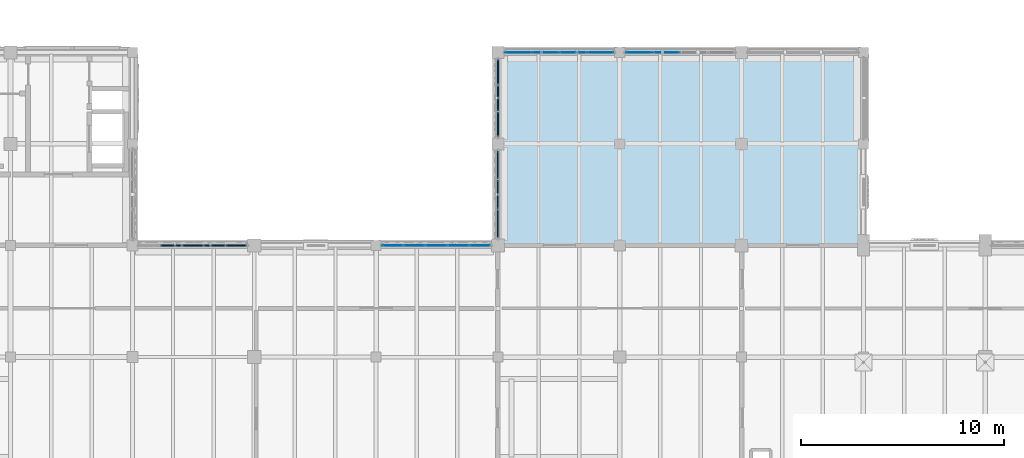
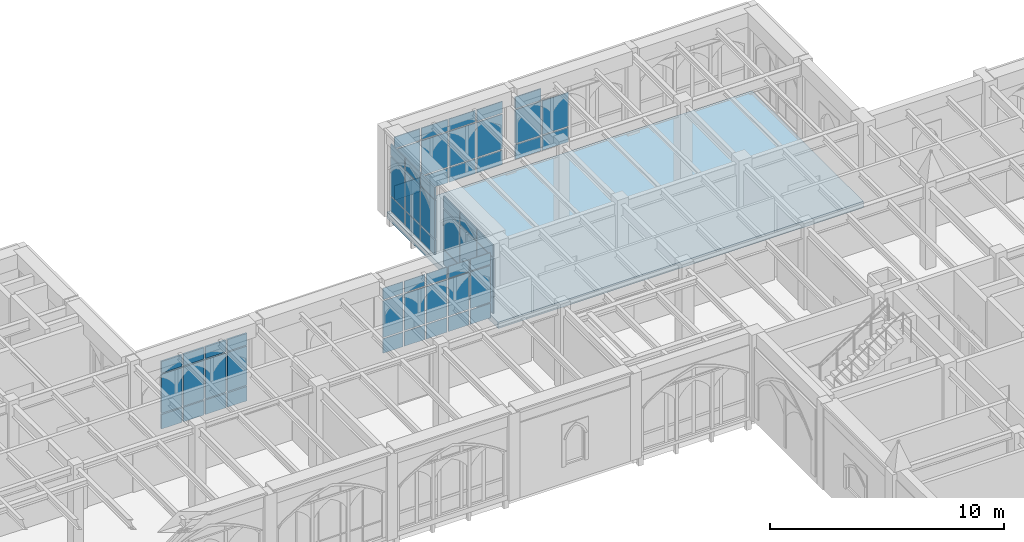
# One storey, part 90 of 143: 62 plates, 1 slab, 6 elements without a shape of their own.
"""IFC4 building model written with IfcOpenShell, lengths in metres."""

from ifc_helpers import new_model, si_unit, direction, frame, origin, origin_2d, place, context, subcontext, project, spatial, polyline, rectangle, outline, extrude, material, layer, layer_set, type_object, element, aggregate, save


model = new_model("IFC4")

# Units and contexts
model_context = context("Model", 3, precision=1e-05, world=origin(), true_north=direction((0.0, 1.0)))
body_context = subcontext(model_context, "Body", "Model", "MODEL_VIEW")
ifc_project = project(units=[si_unit("LENGTHUNIT", "METRE"), si_unit("AREAUNIT", "SQUARE_METRE"), si_unit("VOLUMEUNIT", "CUBIC_METRE"), si_unit("PLANEANGLEUNIT", "RADIAN"), si_unit("MASSUNIT", "GRAM", prefix="KILO")], contexts=[model_context])

# Site, building, storey
site_placement = place(None, origin())
site = spatial("IfcSite", under=ifc_project, at=site_placement, CompositionType="ELEMENT")
building_placement = place(site_placement, origin())
building = spatial("IfcBuilding", under=site, at=building_placement, Name="Cumevento Cable Car Station", CompositionType="ELEMENT")
storey_placement = place(building_placement, frame((0.0, 0.0, 9.0)))
storey = spatial("IfcBuildingStorey", under=building, at=storey_placement, Name="L03", CompositionType="ELEMENT", Elevation=9.0)

# Slab
ifc_material_1 = material(Name="Concrete C40/50", Category="concrete")
ifc_layer_1 = layer(ifc_material_1, 0.330078125)
ifc_layer_set_1 = layer_set([ifc_layer_1], Name="Concrete C40/50")
slab_type = type_object("IfcSlabType", Name="Concrete Deck BS-330 330", PredefinedType="BASESLAB", material=ifc_layer_set_1)
slab_placement = place(storey_placement, frame((0.0, 0.0, -0.330078125)))
element("IfcSlab", 1, at=slab_placement, inside=storey, type_object=slab_type, Name="Base Slab BS-330 L03 B_V3c.1", PredefinedType="BASESLAB", context=body_context, shape_type="SweptSolid", body=[
    extrude(outline(polyline([(52.0, 56.5), (70.0, 56.5), (70.0, 66.0), (52.0, 66.0), (52.0, 56.5)])), origin(), (0.0, 0.0, 1.0), 0.330078125),
])

# Curtain wall, plates
ifc_material_2 = material(Name="Anodised Bronze Aluminium AW-6063-T6", Category="aluminium")
ifc_layer_2 = layer(ifc_material_2, 0.177978515625)
ifc_layer_set_2 = layer_set([ifc_layer_2], Name="Anodised Bronze Aluminium AW-6063-T6")
curtain_wall_type_1 = type_object("IfcCurtainWallType", Name="Lancet Curtain Wall CW-04 1170", PredefinedType="NOTDEFINED", material=ifc_layer_set_2)
curtain_wall_1_placement = place(storey_placement, origin())
curtain_wall_1 = element("IfcCurtainWall", 2, at=curtain_wall_1_placement, inside=storey, type_object=curtain_wall_type_1, Name="Lancet Curtain Wall CW-04 L03 #99", PredefinedType="NOTDEFINED")
ifc_material_3 = material(Name="Solar Control Laminated Double Glazing", Category="glass")
ifc_layer_3 = layer(ifc_material_3, 0.02587890625)
ifc_layer_set_3 = layer_set([ifc_layer_3], Name="Solar Control Laminated Double Glazing")
plate_type_1 = type_object("IfcPlateType", Name="Glazed Panel CWP-02 26", PredefinedType="CURTAIN_PANEL", material=ifc_layer_set_3)
plate_1_placement = place(storey_placement, frame((46.808837890625, 56.5, 0.375), z_axis=(0.0, 0.0, 1.0), x_axis=(1.0, 0.0, 0.0)))
plate_1 = element("IfcPlate", 3, at=plate_1_placement, type_object=plate_type_1, Name="CW-04 panel 1.1", PredefinedType="CURTAIN_PANEL", context=body_context, shape_type="SweptSolid", body=[
    extrude(rectangle(XDim=0.987548828125, YDim=0.02587890625, at=origin_2d()), origin(), (0.0, 0.0, 1.0), 0.75244140625),
])
plate_2_placement = place(storey_placement, frame((46.808837890625, 56.5, 1.1923828125), z_axis=(0.0, 0.0, 1.0), x_axis=(1.0, 0.0, 0.0)))
plate_2 = element("IfcPlate", 4, at=plate_2_placement, type_object=plate_type_1, Name="CW-04 panel 1.2", PredefinedType="CURTAIN_PANEL", context=body_context, shape_type="SweptSolid", body=[
    extrude(rectangle(XDim=0.987548828125, YDim=0.02587890625, at=origin_2d()), origin(), (0.0, 0.0, 1.0), 1.907958984375),
])
plate_3_placement = place(storey_placement, frame((46.808837890625, 56.5, 3.16552734375), z_axis=(0.0, 0.0, 1.0), x_axis=(1.0, 0.0, 0.0)))
plate_3 = element("IfcPlate", 5, at=plate_3_placement, type_object=plate_type_1, Name="CW-04 panel 1.3", PredefinedType="CURTAIN_PANEL", context=body_context, shape_type="SweptSolid", body=[
    extrude(rectangle(XDim=0.987548828125, YDim=0.02587890625, at=origin_2d()), origin(), (0.0, 0.0, 1.0), 0.6025390625),
])
plate_4_placement = place(storey_placement, frame((47.87744140625, 56.5, 0.375), z_axis=(0.0, 0.0, 1.0), x_axis=(1.0, 0.0, 0.0)))
plate_4 = element("IfcPlate", 6, at=plate_4_placement, type_object=plate_type_1, Name="CW-04 panel 2.1", PredefinedType="CURTAIN_PANEL", context=body_context, shape_type="SweptSolid", body=[
    extrude(rectangle(XDim=1.02001953125, YDim=0.02587890625, at=origin_2d()), origin(), (0.0, 0.0, 1.0), 0.75244140625),
])
plate_5_placement = place(storey_placement, frame((47.87744140625, 56.5, 1.1923828125), z_axis=(0.0, 0.0, 1.0), x_axis=(1.0, 0.0, 0.0)))
plate_5 = element("IfcPlate", 7, at=plate_5_placement, type_object=plate_type_1, Name="CW-04 panel 2.2", PredefinedType="CURTAIN_PANEL", context=body_context, shape_type="SweptSolid", body=[
    extrude(rectangle(XDim=1.02001953125, YDim=0.02587890625, at=origin_2d()), origin(), (0.0, 0.0, 1.0), 1.907958984375),
])
plate_6_placement = place(storey_placement, frame((47.87744140625, 56.5, 3.16552734375), z_axis=(0.0, 0.0, 1.0), x_axis=(1.0, 0.0, 0.0)))
plate_6 = element("IfcPlate", 8, at=plate_6_placement, type_object=plate_type_1, Name="CW-04 panel 2.3", PredefinedType="CURTAIN_PANEL", context=body_context, shape_type="SweptSolid", body=[
    extrude(rectangle(XDim=1.02001953125, YDim=0.02587890625, at=origin_2d()), origin(), (0.0, 0.0, 1.0), 0.6025390625),
])
plate_7_placement = place(storey_placement, frame((48.96240234375, 56.5, 0.375), z_axis=(0.0, 0.0, 1.0), x_axis=(1.0, 0.0, 0.0)))
plate_7 = element("IfcPlate", 9, at=plate_7_placement, type_object=plate_type_1, Name="CW-04 panel 3.1", PredefinedType="CURTAIN_PANEL", context=body_context, shape_type="SweptSolid", body=[
    extrude(rectangle(XDim=1.02001953125, YDim=0.02587890625, at=origin_2d()), origin(), (0.0, 0.0, 1.0), 0.75244140625),
])
plate_8_placement = place(storey_placement, frame((48.96240234375, 56.5, 1.1923828125), z_axis=(0.0, 0.0, 1.0), x_axis=(1.0, 0.0, 0.0)))
plate_8 = element("IfcPlate", 10, at=plate_8_placement, type_object=plate_type_1, Name="CW-04 panel 3.2", PredefinedType="CURTAIN_PANEL", context=body_context, shape_type="SweptSolid", body=[
    extrude(rectangle(XDim=1.02001953125, YDim=0.02587890625, at=origin_2d()), origin(), (0.0, 0.0, 1.0), 1.907958984375),
])
plate_9_placement = place(storey_placement, frame((48.96240234375, 56.5, 3.16552734375), z_axis=(0.0, 0.0, 1.0), x_axis=(1.0, 0.0, 0.0)))
plate_9 = element("IfcPlate", 11, at=plate_9_placement, type_object=plate_type_1, Name="CW-04 panel 3.3", PredefinedType="CURTAIN_PANEL", context=body_context, shape_type="SweptSolid", body=[
    extrude(rectangle(XDim=1.02001953125, YDim=0.02587890625, at=origin_2d()), origin(), (0.0, 0.0, 1.0), 0.6025390625),
])
plate_10_placement = place(storey_placement, frame((50.047607421875, 56.5, 0.375), z_axis=(0.0, 0.0, 1.0), x_axis=(1.0, 0.0, 0.0)))
plate_10 = element("IfcPlate", 12, at=plate_10_placement, type_object=plate_type_1, Name="CW-04 panel 4.1", PredefinedType="CURTAIN_PANEL", context=body_context, shape_type="SweptSolid", body=[
    extrude(rectangle(XDim=1.02001953125, YDim=0.02587890625, at=origin_2d()), origin(), (0.0, 0.0, 1.0), 0.75244140625),
])
plate_11_placement = place(storey_placement, frame((50.047607421875, 56.5, 1.1923828125), z_axis=(0.0, 0.0, 1.0), x_axis=(1.0, 0.0, 0.0)))
plate_11 = element("IfcPlate", 13, at=plate_11_placement, type_object=plate_type_1, Name="CW-04 panel 4.2", PredefinedType="CURTAIN_PANEL", context=body_context, shape_type="SweptSolid", body=[
    extrude(rectangle(XDim=1.02001953125, YDim=0.02587890625, at=origin_2d()), origin(), (0.0, 0.0, 1.0), 1.907958984375),
])
plate_12_placement = place(storey_placement, frame((50.047607421875, 56.5, 3.16552734375), z_axis=(0.0, 0.0, 1.0), x_axis=(1.0, 0.0, 0.0)))
plate_12 = element("IfcPlate", 14, at=plate_12_placement, type_object=plate_type_1, Name="CW-04 panel 4.3", PredefinedType="CURTAIN_PANEL", context=body_context, shape_type="SweptSolid", body=[
    extrude(rectangle(XDim=1.02001953125, YDim=0.02587890625, at=origin_2d()), origin(), (0.0, 0.0, 1.0), 0.6025390625),
])
plate_13_placement = place(storey_placement, frame((51.1162109375, 56.5, 0.375), z_axis=(0.0, 0.0, 1.0), x_axis=(1.0, 0.0, 0.0)))
plate_13 = element("IfcPlate", 15, at=plate_13_placement, type_object=plate_type_1, Name="CW-04 panel 5.1", PredefinedType="CURTAIN_PANEL", context=body_context, shape_type="SweptSolid", body=[
    extrude(rectangle(XDim=0.987548828125, YDim=0.02587890625, at=origin_2d()), origin(), (0.0, 0.0, 1.0), 0.75244140625),
])
plate_14_placement = place(storey_placement, frame((51.1162109375, 56.5, 1.1923828125), z_axis=(0.0, 0.0, 1.0), x_axis=(1.0, 0.0, 0.0)))
plate_14 = element("IfcPlate", 16, at=plate_14_placement, type_object=plate_type_1, Name="CW-04 panel 5.2", PredefinedType="CURTAIN_PANEL", context=body_context, shape_type="SweptSolid", body=[
    extrude(rectangle(XDim=0.987548828125, YDim=0.02587890625, at=origin_2d()), origin(), (0.0, 0.0, 1.0), 1.907958984375),
])
plate_15_placement = place(storey_placement, frame((51.1162109375, 56.5, 3.16552734375), z_axis=(0.0, 0.0, 1.0), x_axis=(1.0, 0.0, 0.0)))
plate_15 = element("IfcPlate", 17, at=plate_15_placement, type_object=plate_type_1, Name="CW-04 panel 5.3", PredefinedType="CURTAIN_PANEL", context=body_context, shape_type="SweptSolid", body=[
    extrude(rectangle(XDim=0.987548828125, YDim=0.02587890625, at=origin_2d()), origin(), (0.0, 0.0, 1.0), 0.6025390625),
])
aggregate(curtain_wall_1, [plate_1, plate_2, plate_3, plate_4, plate_5, plate_6, plate_7, plate_8, plate_9, plate_10, plate_11, plate_12, plate_13, plate_14, plate_15])

ifc_material_4 = material(Name="Anodised Bronze Aluminium AW-6063-T6", Category="aluminium")
ifc_layer_4 = layer(ifc_material_4, 0.18994140625)
ifc_layer_set_4 = layer_set([ifc_layer_4], Name="Anodised Bronze Aluminium AW-6063-T6")
curtain_wall_type_2 = type_object("IfcCurtainWallType", Name="Lancet Curtain Wall CW-06 1250", PredefinedType="NOTDEFINED", material=ifc_layer_set_4)
curtain_wall_2_placement = place(storey_placement, origin())
curtain_wall_2 = element("IfcCurtainWall", 18, at=curtain_wall_2_placement, inside=storey, type_object=curtain_wall_type_2, Name="Lancet Curtain Wall CW-06 L03 #117", PredefinedType="NOTDEFINED")
ifc_material_5 = material(Name="Solar Control Laminated Double Glazing", Category="glass")
ifc_layer_5 = layer(ifc_material_5, 0.0419921875)
ifc_layer_set_5 = layer_set([ifc_layer_5], Name="Solar Control Laminated Double Glazing")
plate_type_2 = type_object("IfcPlateType", Name="Glazed Panel CWP-06 42", PredefinedType="CURTAIN_PANEL", material=ifc_layer_set_5)
plate_16_placement = place(storey_placement, frame((52.99755859375, 66.0, 0.47509765625), z_axis=(0.0, 0.0, 1.0), x_axis=(1.0, 0.0, 0.0)))
plate_16 = element("IfcPlate", 19, at=plate_16_placement, type_object=plate_type_2, Name="CW-06 panel 1.1", PredefinedType="CURTAIN_PANEL", context=body_context, shape_type="SweptSolid", body=[
    extrude(rectangle(XDim=1.264892578125, YDim=0.0419921875, at=origin_2d()), origin(), (0.0, 0.0, 1.0), 0.75244140625),
])
plate_17_placement = place(storey_placement, frame((52.99755859375, 66.0, 1.29248046875), z_axis=(0.0, 0.0, 1.0), x_axis=(1.0, 0.0, 0.0)))
plate_17 = element("IfcPlate", 20, at=plate_17_placement, type_object=plate_type_2, Name="CW-06 panel 1.2", PredefinedType="CURTAIN_PANEL", context=body_context, shape_type="SweptSolid", body=[
    extrude(rectangle(XDim=1.264892578125, YDim=0.0419921875, at=origin_2d()), origin(), (0.0, 0.0, 1.0), 1.80810546875),
])
plate_18_placement = place(storey_placement, frame((52.99755859375, 66.0, 3.16552734375), z_axis=(0.0, 0.0, 1.0), x_axis=(1.0, 0.0, 0.0)))
plate_18 = element("IfcPlate", 21, at=plate_18_placement, type_object=plate_type_2, Name="CW-06 panel 1.3", PredefinedType="CURTAIN_PANEL", context=body_context, shape_type="SweptSolid", body=[
    extrude(rectangle(XDim=1.264892578125, YDim=0.0419921875, at=origin_2d()), origin(), (0.0, 0.0, 1.0), 0.6025390625),
])
plate_19_placement = place(storey_placement, frame((54.34375, 66.0, 0.47509765625), z_axis=(0.0, 0.0, 1.0), x_axis=(1.0, 0.0, 0.0)))
plate_19 = element("IfcPlate", 22, at=plate_19_placement, type_object=plate_type_2, Name="CW-06 panel 2.1", PredefinedType="CURTAIN_PANEL", context=body_context, shape_type="SweptSolid", body=[
    extrude(rectangle(XDim=1.297607421875, YDim=0.0419921875, at=origin_2d()), origin(), (0.0, 0.0, 1.0), 0.75244140625),
])
plate_20_placement = place(storey_placement, frame((54.34375, 66.0, 1.29248046875), z_axis=(0.0, 0.0, 1.0), x_axis=(1.0, 0.0, 0.0)))
plate_20 = element("IfcPlate", 23, at=plate_20_placement, type_object=plate_type_2, Name="CW-06 panel 2.2", PredefinedType="CURTAIN_PANEL", context=body_context, shape_type="SweptSolid", body=[
    extrude(rectangle(XDim=1.297607421875, YDim=0.0419921875, at=origin_2d()), origin(), (0.0, 0.0, 1.0), 1.80810546875),
])
plate_21_placement = place(storey_placement, frame((54.34375, 66.0, 3.16552734375), z_axis=(0.0, 0.0, 1.0), x_axis=(1.0, 0.0, 0.0)))
plate_21 = element("IfcPlate", 24, at=plate_21_placement, type_object=plate_type_2, Name="CW-06 panel 2.3", PredefinedType="CURTAIN_PANEL", context=body_context, shape_type="SweptSolid", body=[
    extrude(rectangle(XDim=1.297607421875, YDim=0.0419921875, at=origin_2d()), origin(), (0.0, 0.0, 1.0), 0.6025390625),
])
plate_22_placement = place(storey_placement, frame((55.706298828125, 66.0, 0.47509765625), z_axis=(0.0, 0.0, 1.0), x_axis=(1.0, 0.0, 0.0)))
plate_22 = element("IfcPlate", 25, at=plate_22_placement, type_object=plate_type_2, Name="CW-06 panel 3.1", PredefinedType="CURTAIN_PANEL", context=body_context, shape_type="SweptSolid", body=[
    extrude(rectangle(XDim=1.297607421875, YDim=0.0419921875, at=origin_2d()), origin(), (0.0, 0.0, 1.0), 0.75244140625),
])
plate_23_placement = place(storey_placement, frame((55.706298828125, 66.0, 1.29248046875), z_axis=(0.0, 0.0, 1.0), x_axis=(1.0, 0.0, 0.0)))
plate_23 = element("IfcPlate", 26, at=plate_23_placement, type_object=plate_type_2, Name="CW-06 panel 3.2", PredefinedType="CURTAIN_PANEL", context=body_context, shape_type="SweptSolid", body=[
    extrude(rectangle(XDim=1.297607421875, YDim=0.0419921875, at=origin_2d()), origin(), (0.0, 0.0, 1.0), 1.80810546875),
])
plate_24_placement = place(storey_placement, frame((55.706298828125, 66.0, 3.16552734375), z_axis=(0.0, 0.0, 1.0), x_axis=(1.0, 0.0, 0.0)))
plate_24 = element("IfcPlate", 27, at=plate_24_placement, type_object=plate_type_2, Name="CW-06 panel 3.3", PredefinedType="CURTAIN_PANEL", context=body_context, shape_type="SweptSolid", body=[
    extrude(rectangle(XDim=1.297607421875, YDim=0.0419921875, at=origin_2d()), origin(), (0.0, 0.0, 1.0), 0.6025390625),
])
plate_25_placement = place(storey_placement, frame((57.052490234375, 66.0, 0.47509765625), z_axis=(0.0, 0.0, 1.0), x_axis=(1.0, 0.0, 0.0)))
plate_25 = element("IfcPlate", 28, at=plate_25_placement, type_object=plate_type_2, Name="CW-06 panel 4.1", PredefinedType="CURTAIN_PANEL", context=body_context, shape_type="SweptSolid", body=[
    extrude(rectangle(XDim=1.264892578125, YDim=0.0419921875, at=origin_2d()), origin(), (0.0, 0.0, 1.0), 0.75244140625),
])
plate_26_placement = place(storey_placement, frame((57.052490234375, 66.0, 1.29248046875), z_axis=(0.0, 0.0, 1.0), x_axis=(1.0, 0.0, 0.0)))
plate_26 = element("IfcPlate", 29, at=plate_26_placement, type_object=plate_type_2, Name="CW-06 panel 4.2", PredefinedType="CURTAIN_PANEL", context=body_context, shape_type="SweptSolid", body=[
    extrude(rectangle(XDim=1.264892578125, YDim=0.0419921875, at=origin_2d()), origin(), (0.0, 0.0, 1.0), 1.80810546875),
])
plate_27_placement = place(storey_placement, frame((57.052490234375, 66.0, 3.16552734375), z_axis=(0.0, 0.0, 1.0), x_axis=(1.0, 0.0, 0.0)))
plate_27 = element("IfcPlate", 30, at=plate_27_placement, type_object=plate_type_2, Name="CW-06 panel 4.3", PredefinedType="CURTAIN_PANEL", context=body_context, shape_type="SweptSolid", body=[
    extrude(rectangle(XDim=1.264892578125, YDim=0.0419921875, at=origin_2d()), origin(), (0.0, 0.0, 1.0), 0.6025390625),
])
aggregate(curtain_wall_2, [plate_16, plate_17, plate_18, plate_19, plate_20, plate_21, plate_22, plate_23, plate_24, plate_25, plate_26, plate_27])

ifc_material_6 = material(Name="Anodised Bronze Aluminium AW-6063-T6", Category="aluminium")
ifc_layer_6 = layer(ifc_material_6, 0.196044921875)
ifc_layer_set_6 = layer_set([ifc_layer_6], Name="Anodised Bronze Aluminium AW-6063-T6")
curtain_wall_type_3 = type_object("IfcCurtainWallType", Name="Lancet Curtain Wall CW-07 1290", PredefinedType="NOTDEFINED", material=ifc_layer_set_6)
curtain_wall_3_placement = place(storey_placement, origin())
curtain_wall_3 = element("IfcCurtainWall", 31, at=curtain_wall_3_placement, inside=storey, type_object=curtain_wall_type_3, Name="Lancet Curtain Wall CW-07 L03 #118", PredefinedType="NOTDEFINED")
ifc_material_7 = material(Name="Solar Control Laminated Double Glazing", Category="glass")
ifc_layer_7 = layer(ifc_material_7, 0.0458984375)
ifc_layer_set_7 = layer_set([ifc_layer_7], Name="Solar Control Laminated Double Glazing")
plate_type_3 = type_object("IfcPlateType", Name="Glazed Panel CWP-07 46", PredefinedType="CURTAIN_PANEL", material=ifc_layer_set_7)
plate_28_placement = place(storey_placement, frame((58.947509765625, 66.0, 0.525146484375), z_axis=(0.0, 0.0, 1.0), x_axis=(1.0, 0.0, 0.0)))
plate_28 = element("IfcPlate", 32, at=plate_28_placement, type_object=plate_type_3, Name="CW-07 panel 1.1", PredefinedType="CURTAIN_PANEL", context=body_context, shape_type="SweptSolid", body=[
    extrude(rectangle(XDim=1.264892578125, YDim=0.0458984375, at=origin_2d()), origin(), (0.0, 0.0, 1.0), 0.75244140625),
])
plate_29_placement = place(storey_placement, frame((58.947509765625, 66.0, 1.34228515625), z_axis=(0.0, 0.0, 1.0), x_axis=(1.0, 0.0, 0.0)))
plate_29 = element("IfcPlate", 33, at=plate_29_placement, type_object=plate_type_3, Name="CW-07 panel 1.2", PredefinedType="CURTAIN_PANEL", context=body_context, shape_type="SweptSolid", body=[
    extrude(rectangle(XDim=1.264892578125, YDim=0.0458984375, at=origin_2d()), origin(), (0.0, 0.0, 1.0), 1.758056640625),
])
plate_30_placement = place(storey_placement, frame((58.947509765625, 66.0, 3.16552734375), z_axis=(0.0, 0.0, 1.0), x_axis=(1.0, 0.0, 0.0)))
plate_30 = element("IfcPlate", 34, at=plate_30_placement, type_object=plate_type_3, Name="CW-07 panel 1.3", PredefinedType="CURTAIN_PANEL", context=body_context, shape_type="SweptSolid", body=[
    extrude(rectangle(XDim=1.264892578125, YDim=0.0458984375, at=origin_2d()), origin(), (0.0, 0.0, 1.0), 0.6025390625),
])
plate_31_placement = place(storey_placement, frame((60.293701171875, 66.0, 0.525146484375), z_axis=(0.0, 0.0, 1.0), x_axis=(1.0, 0.0, 0.0)))
plate_31 = element("IfcPlate", 35, at=plate_31_placement, type_object=plate_type_3, Name="CW-07 panel 2.1", PredefinedType="CURTAIN_PANEL", context=body_context, shape_type="SweptSolid", body=[
    extrude(rectangle(XDim=1.297607421875, YDim=0.0458984375, at=origin_2d()), origin(), (0.0, 0.0, 1.0), 0.75244140625),
])
plate_32_placement = place(storey_placement, frame((60.293701171875, 66.0, 1.34228515625), z_axis=(0.0, 0.0, 1.0), x_axis=(1.0, 0.0, 0.0)))
plate_32 = element("IfcPlate", 36, at=plate_32_placement, type_object=plate_type_3, Name="CW-07 panel 2.2", PredefinedType="CURTAIN_PANEL", context=body_context, shape_type="SweptSolid", body=[
    extrude(rectangle(XDim=1.297607421875, YDim=0.0458984375, at=origin_2d()), origin(), (0.0, 0.0, 1.0), 1.758056640625),
])
aggregate(curtain_wall_3, [plate_28, plate_29, plate_30, plate_31, plate_32])

ifc_material_8 = material(Name="Anodised Bronze Aluminium AW-6063-T6", Category="aluminium")
ifc_layer_8 = layer(ifc_material_8, 0.2080078125)
ifc_layer_set_8 = layer_set([ifc_layer_8], Name="Anodised Bronze Aluminium AW-6063-T6")
curtain_wall_type_4 = type_object("IfcCurtainWallType", Name="Lancet Curtain Wall CW-09 1370", PredefinedType="NOTDEFINED", material=ifc_layer_set_8)
curtain_wall_4_placement = place(storey_placement, origin())
curtain_wall_4 = element("IfcCurtainWall", 37, at=curtain_wall_4_placement, inside=storey, type_object=curtain_wall_type_4, Name="Lancet Curtain Wall CW-09 L03 #120", PredefinedType="NOTDEFINED")
ifc_material_9 = material(Name="Insulated Bronze Aluminium Spandrel Panel", Category="aluminium")
ifc_layer_9 = layer(ifc_material_9, 0.054931640625)
ifc_layer_set_9 = layer_set([ifc_layer_9], Name="Insulated Bronze Aluminium Spandrel Panel")
plate_type_4 = type_object("IfcPlateType", Name="Spandrel Panel CWP-09 55", PredefinedType="CURTAIN_PANEL", material=ifc_layer_set_9)
plate_33_placement = place(storey_placement, frame((52.0, 57.5703125, 0.22509765625), z_axis=(0.0, 0.0, 1.0), x_axis=(0.0, 1.0, 0.0)))
plate_33 = element("IfcPlate", 38, at=plate_33_placement, type_object=plate_type_4, Name="CW-09 panel 1.1", PredefinedType="CURTAIN_PANEL", context=body_context, shape_type="SweptSolid", body=[
    extrude(rectangle(XDim=1.36083984375, YDim=0.054931640625, at=origin_2d()), origin(), (0.0, 0.0, 1.0), 0.75244140625),
])
plate_34_placement = place(storey_placement, frame((52.0, 57.5703125, 1.04248046875), z_axis=(0.0, 0.0, 1.0), x_axis=(0.0, 1.0, 0.0)))
plate_34 = element("IfcPlate", 39, at=plate_34_placement, type_object=plate_type_4, Name="CW-09 panel 1.2", PredefinedType="CURTAIN_PANEL", context=body_context, shape_type="SweptSolid", body=[
    extrude(rectangle(XDim=1.36083984375, YDim=0.054931640625, at=origin_2d()), origin(), (0.0, 0.0, 1.0), 2.05810546875),
])
plate_35_placement = place(storey_placement, frame((52.0, 57.5703125, 3.16552734375), z_axis=(0.0, 0.0, 1.0), x_axis=(0.0, 1.0, 0.0)))
plate_35 = element("IfcPlate", 40, at=plate_35_placement, type_object=plate_type_4, Name="CW-09 panel 1.3", PredefinedType="CURTAIN_PANEL", context=body_context, shape_type="SweptSolid", body=[
    extrude(rectangle(XDim=1.36083984375, YDim=0.054931640625, at=origin_2d()), origin(), (0.0, 0.0, 1.0), 0.6025390625),
])
plate_36_placement = place(storey_placement, frame((52.0, 59.012451171875, 0.22509765625), z_axis=(0.0, 0.0, 1.0), x_axis=(0.0, 1.0, 0.0)))
plate_36 = element("IfcPlate", 41, at=plate_36_placement, type_object=plate_type_4, Name="CW-09 panel 2.1", PredefinedType="CURTAIN_PANEL", context=body_context, shape_type="SweptSolid", body=[
    extrude(rectangle(XDim=1.393310546875, YDim=0.054931640625, at=origin_2d()), origin(), (0.0, 0.0, 1.0), 0.75244140625),
])
plate_37_placement = place(storey_placement, frame((52.0, 59.012451171875, 1.04248046875), z_axis=(0.0, 0.0, 1.0), x_axis=(0.0, 1.0, 0.0)))
plate_37 = element("IfcPlate", 42, at=plate_37_placement, type_object=plate_type_4, Name="CW-09 panel 2.2", PredefinedType="CURTAIN_PANEL", context=body_context, shape_type="SweptSolid", body=[
    extrude(rectangle(XDim=1.393310546875, YDim=0.054931640625, at=origin_2d()), origin(), (0.0, 0.0, 1.0), 2.05810546875),
])
plate_38_placement = place(storey_placement, frame((52.0, 59.012451171875, 3.16552734375), z_axis=(0.0, 0.0, 1.0), x_axis=(0.0, 1.0, 0.0)))
plate_38 = element("IfcPlate", 43, at=plate_38_placement, type_object=plate_type_4, Name="CW-09 panel 2.3", PredefinedType="CURTAIN_PANEL", context=body_context, shape_type="SweptSolid", body=[
    extrude(rectangle(XDim=1.393310546875, YDim=0.054931640625, at=origin_2d()), origin(), (0.0, 0.0, 1.0), 0.6025390625),
])
plate_39_placement = place(storey_placement, frame((52.0, 60.45458984375, 0.22509765625), z_axis=(0.0, 0.0, 1.0), x_axis=(0.0, 1.0, 0.0)))
plate_39 = element("IfcPlate", 44, at=plate_39_placement, type_object=plate_type_4, Name="CW-09 panel 3.1", PredefinedType="CURTAIN_PANEL", context=body_context, shape_type="SweptSolid", body=[
    extrude(rectangle(XDim=1.36083984375, YDim=0.054931640625, at=origin_2d()), origin(), (0.0, 0.0, 1.0), 0.75244140625),
])
plate_40_placement = place(storey_placement, frame((52.0, 60.45458984375, 1.04248046875), z_axis=(0.0, 0.0, 1.0), x_axis=(0.0, 1.0, 0.0)))
plate_40 = element("IfcPlate", 45, at=plate_40_placement, type_object=plate_type_4, Name="CW-09 panel 3.2", PredefinedType="CURTAIN_PANEL", context=body_context, shape_type="SweptSolid", body=[
    extrude(rectangle(XDim=1.36083984375, YDim=0.054931640625, at=origin_2d()), origin(), (0.0, 0.0, 1.0), 2.05810546875),
])
plate_41_placement = place(storey_placement, frame((52.0, 60.45458984375, 3.16552734375), z_axis=(0.0, 0.0, 1.0), x_axis=(0.0, 1.0, 0.0)))
plate_41 = element("IfcPlate", 46, at=plate_41_placement, type_object=plate_type_4, Name="CW-09 panel 3.3", PredefinedType="CURTAIN_PANEL", context=body_context, shape_type="SweptSolid", body=[
    extrude(rectangle(XDim=1.36083984375, YDim=0.054931640625, at=origin_2d()), origin(), (0.0, 0.0, 1.0), 0.6025390625),
])
aggregate(curtain_wall_4, [plate_33, plate_34, plate_35, plate_36, plate_37, plate_38, plate_39, plate_40, plate_41])

ifc_material_10 = material(Name="Anodised Bronze Aluminium AW-6063-T6", Category="aluminium")
ifc_layer_10 = layer(ifc_material_10, 0.214111328125)
ifc_layer_set_10 = layer_set([ifc_layer_10], Name="Anodised Bronze Aluminium AW-6063-T6")
curtain_wall_type_5 = type_object("IfcCurtainWallType", Name="Lancet Curtain Wall CW-10 1410", PredefinedType="NOTDEFINED", material=ifc_layer_set_10)
curtain_wall_5_placement = place(storey_placement, origin())
curtain_wall_5 = element("IfcCurtainWall", 47, at=curtain_wall_5_placement, inside=storey, type_object=curtain_wall_type_5, Name="Lancet Curtain Wall CW-10 L03 #121", PredefinedType="NOTDEFINED")
ifc_material_11 = material(Name="Insulated Bronze Aluminium Spandrel Panel", Category="aluminium")
ifc_layer_11 = layer(ifc_material_11, 0.06005859375)
ifc_layer_set_11 = layer_set([ifc_layer_11], Name="Insulated Bronze Aluminium Spandrel Panel")
plate_type_5 = type_object("IfcPlateType", Name="Spandrel Panel CWP-10 60", PredefinedType="CURTAIN_PANEL", material=ifc_layer_set_11)
plate_42_placement = place(storey_placement, frame((52.0, 62.46630859375, 0.275146484375), z_axis=(0.0, 0.0, 1.0), x_axis=(0.0, 1.0, 0.0)))
plate_42 = element("IfcPlate", 48, at=plate_42_placement, type_object=plate_type_5, Name="CW-10 panel 1.1", PredefinedType="CURTAIN_PANEL", context=body_context, shape_type="SweptSolid", body=[
    extrude(rectangle(XDim=1.202392578125, YDim=0.06005859375, at=origin_2d()), origin(), (0.0, 0.0, 1.0), 0.75244140625),
])
plate_43_placement = place(storey_placement, frame((52.0, 62.46630859375, 1.09228515625), z_axis=(0.0, 0.0, 1.0), x_axis=(0.0, 1.0, 0.0)))
plate_43 = element("IfcPlate", 49, at=plate_43_placement, type_object=plate_type_5, Name="CW-10 panel 1.2", PredefinedType="CURTAIN_PANEL", context=body_context, shape_type="SweptSolid", body=[
    extrude(rectangle(XDim=1.202392578125, YDim=0.06005859375, at=origin_2d()), origin(), (0.0, 0.0, 1.0), 2.008056640625),
])
plate_44_placement = place(storey_placement, frame((52.0, 62.46630859375, 3.16552734375), z_axis=(0.0, 0.0, 1.0), x_axis=(0.0, 1.0, 0.0)))
plate_44 = element("IfcPlate", 50, at=plate_44_placement, type_object=plate_type_5, Name="CW-10 panel 1.3", PredefinedType="CURTAIN_PANEL", context=body_context, shape_type="SweptSolid", body=[
    extrude(rectangle(XDim=1.202392578125, YDim=0.06005859375, at=origin_2d()), origin(), (0.0, 0.0, 1.0), 0.6025390625),
])
plate_45_placement = place(storey_placement, frame((52.0, 63.75, 0.275146484375), z_axis=(0.0, 0.0, 1.0), x_axis=(0.0, 1.0, 0.0)))
plate_45 = element("IfcPlate", 51, at=plate_45_placement, type_object=plate_type_5, Name="CW-10 panel 2.1", PredefinedType="CURTAIN_PANEL", context=body_context, shape_type="SweptSolid", body=[
    extrude(rectangle(XDim=1.235107421875, YDim=0.06005859375, at=origin_2d()), origin(), (0.0, 0.0, 1.0), 0.75244140625),
])
plate_46_placement = place(storey_placement, frame((52.0, 63.75, 1.09228515625), z_axis=(0.0, 0.0, 1.0), x_axis=(0.0, 1.0, 0.0)))
plate_46 = element("IfcPlate", 52, at=plate_46_placement, type_object=plate_type_5, Name="CW-10 panel 2.2", PredefinedType="CURTAIN_PANEL", context=body_context, shape_type="SweptSolid", body=[
    extrude(rectangle(XDim=1.235107421875, YDim=0.06005859375, at=origin_2d()), origin(), (0.0, 0.0, 1.0), 2.008056640625),
])
plate_47_placement = place(storey_placement, frame((52.0, 63.75, 3.16552734375), z_axis=(0.0, 0.0, 1.0), x_axis=(0.0, 1.0, 0.0)))
plate_47 = element("IfcPlate", 53, at=plate_47_placement, type_object=plate_type_5, Name="CW-10 panel 2.3", PredefinedType="CURTAIN_PANEL", context=body_context, shape_type="SweptSolid", body=[
    extrude(rectangle(XDim=1.235107421875, YDim=0.06005859375, at=origin_2d()), origin(), (0.0, 0.0, 1.0), 0.6025390625),
])
plate_48_placement = place(storey_placement, frame((52.0, 65.03369140625, 0.275146484375), z_axis=(0.0, 0.0, 1.0), x_axis=(0.0, 1.0, 0.0)))
plate_48 = element("IfcPlate", 54, at=plate_48_placement, type_object=plate_type_5, Name="CW-10 panel 3.1", PredefinedType="CURTAIN_PANEL", context=body_context, shape_type="SweptSolid", body=[
    extrude(rectangle(XDim=1.202392578125, YDim=0.06005859375, at=origin_2d()), origin(), (0.0, 0.0, 1.0), 0.75244140625),
])
plate_49_placement = place(storey_placement, frame((52.0, 65.03369140625, 1.09228515625), z_axis=(0.0, 0.0, 1.0), x_axis=(0.0, 1.0, 0.0)))
plate_49 = element("IfcPlate", 55, at=plate_49_placement, type_object=plate_type_5, Name="CW-10 panel 3.2", PredefinedType="CURTAIN_PANEL", context=body_context, shape_type="SweptSolid", body=[
    extrude(rectangle(XDim=1.202392578125, YDim=0.06005859375, at=origin_2d()), origin(), (0.0, 0.0, 1.0), 2.008056640625),
])
plate_50_placement = place(storey_placement, frame((52.0, 65.03369140625, 3.16552734375), z_axis=(0.0, 0.0, 1.0), x_axis=(0.0, 1.0, 0.0)))
plate_50 = element("IfcPlate", 56, at=plate_50_placement, type_object=plate_type_5, Name="CW-10 panel 3.3", PredefinedType="CURTAIN_PANEL", context=body_context, shape_type="SweptSolid", body=[
    extrude(rectangle(XDim=1.202392578125, YDim=0.06005859375, at=origin_2d()), origin(), (0.0, 0.0, 1.0), 0.6025390625),
])
aggregate(curtain_wall_5, [plate_42, plate_43, plate_44, plate_45, plate_46, plate_47, plate_48, plate_49, plate_50])

ifc_material_12 = material(Name="Anodised Bronze Aluminium AW-6063-T6", Category="aluminium")
ifc_layer_12 = layer(ifc_material_12, 0.166015625)
ifc_layer_set_12 = layer_set([ifc_layer_12], Name="Anodised Bronze Aluminium AW-6063-T6")
curtain_wall_type_6 = type_object("IfcCurtainWallType", Name="Lancet Curtain Wall CW-02 1090", PredefinedType="NOTDEFINED", material=ifc_layer_set_12)
curtain_wall_6_placement = place(storey_placement, origin())
curtain_wall_6 = element("IfcCurtainWall", 57, at=curtain_wall_6_placement, inside=storey, type_object=curtain_wall_type_6, Name="Lancet Curtain Wall CW-02 L03 #97", PredefinedType="NOTDEFINED")
ifc_material_13 = material(Name="Insulated Bronze Aluminium Spandrel Panel", Category="aluminium")
ifc_layer_13 = layer(ifc_material_13, 0.0849609375)
ifc_layer_set_13 = layer_set([ifc_layer_13], Name="Insulated Bronze Aluminium Spandrel Panel")
plate_type_6 = type_object("IfcPlateType", Name="Spandrel Panel CWP-14 85", PredefinedType="CURTAIN_PANEL", material=ifc_layer_set_13)
plate_51_placement = place(storey_placement, frame((35.89501953125, 56.5, 0.275146484375), z_axis=(0.0, 0.0, 1.0), x_axis=(1.0, 0.0, 0.0)))
plate_51 = element("IfcPlate", 58, at=plate_51_placement, type_object=plate_type_6, Name="CW-02 panel 2.1", PredefinedType="CURTAIN_PANEL", context=body_context, shape_type="SweptSolid", body=[
    extrude(rectangle(XDim=1.014892578125, YDim=0.0849609375, at=origin_2d()), origin(), (0.0, 0.0, 1.0), 0.75244140625),
])
plate_52_placement = place(storey_placement, frame((35.89501953125, 56.5, 1.09228515625), z_axis=(0.0, 0.0, 1.0), x_axis=(1.0, 0.0, 0.0)))
plate_52 = element("IfcPlate", 59, at=plate_52_placement, type_object=plate_type_6, Name="CW-02 panel 2.2", PredefinedType="CURTAIN_PANEL", context=body_context, shape_type="SweptSolid", body=[
    extrude(rectangle(XDim=1.014892578125, YDim=0.0849609375, at=origin_2d()), origin(), (0.0, 0.0, 1.0), 2.031982421875),
])
plate_53_placement = place(storey_placement, frame((35.89501953125, 56.5, 3.189453125), z_axis=(0.0, 0.0, 1.0), x_axis=(1.0, 0.0, 0.0)))
plate_53 = element("IfcPlate", 60, at=plate_53_placement, type_object=plate_type_6, Name="CW-02 panel 2.3", PredefinedType="CURTAIN_PANEL", context=body_context, shape_type="SweptSolid", body=[
    extrude(rectangle(XDim=1.014892578125, YDim=0.0849609375, at=origin_2d()), origin(), (0.0, 0.0, 1.0), 0.6025390625),
])
plate_54_placement = place(storey_placement, frame((36.97509765625, 56.5, 0.275146484375), z_axis=(0.0, 0.0, 1.0), x_axis=(1.0, 0.0, 0.0)))
plate_54 = element("IfcPlate", 61, at=plate_54_placement, type_object=plate_type_6, Name="CW-02 panel 3.1", PredefinedType="CURTAIN_PANEL", context=body_context, shape_type="SweptSolid", body=[
    extrude(rectangle(XDim=1.014892578125, YDim=0.0849609375, at=origin_2d()), origin(), (0.0, 0.0, 1.0), 0.75244140625),
])
plate_55_placement = place(storey_placement, frame((36.97509765625, 56.5, 1.09228515625), z_axis=(0.0, 0.0, 1.0), x_axis=(1.0, 0.0, 0.0)))
plate_55 = element("IfcPlate", 62, at=plate_55_placement, type_object=plate_type_6, Name="CW-02 panel 3.2", PredefinedType="CURTAIN_PANEL", context=body_context, shape_type="SweptSolid", body=[
    extrude(rectangle(XDim=1.014892578125, YDim=0.0849609375, at=origin_2d()), origin(), (0.0, 0.0, 1.0), 2.031982421875),
])
plate_56_placement = place(storey_placement, frame((36.97509765625, 56.5, 3.189453125), z_axis=(0.0, 0.0, 1.0), x_axis=(1.0, 0.0, 0.0)))
plate_56 = element("IfcPlate", 63, at=plate_56_placement, type_object=plate_type_6, Name="CW-02 panel 3.3", PredefinedType="CURTAIN_PANEL", context=body_context, shape_type="SweptSolid", body=[
    extrude(rectangle(XDim=1.014892578125, YDim=0.0849609375, at=origin_2d()), origin(), (0.0, 0.0, 1.0), 0.6025390625),
])
plate_57_placement = place(storey_placement, frame((38.054931640625, 56.5, 0.275146484375), z_axis=(0.0, 0.0, 1.0), x_axis=(1.0, 0.0, 0.0)))
plate_57 = element("IfcPlate", 64, at=plate_57_placement, type_object=plate_type_6, Name="CW-02 panel 4.1", PredefinedType="CURTAIN_PANEL", context=body_context, shape_type="SweptSolid", body=[
    extrude(rectangle(XDim=1.014892578125, YDim=0.0849609375, at=origin_2d()), origin(), (0.0, 0.0, 1.0), 0.75244140625),
])
plate_58_placement = place(storey_placement, frame((38.054931640625, 56.5, 1.09228515625), z_axis=(0.0, 0.0, 1.0), x_axis=(1.0, 0.0, 0.0)))
plate_58 = element("IfcPlate", 65, at=plate_58_placement, type_object=plate_type_6, Name="CW-02 panel 4.2", PredefinedType="CURTAIN_PANEL", context=body_context, shape_type="SweptSolid", body=[
    extrude(rectangle(XDim=1.014892578125, YDim=0.0849609375, at=origin_2d()), origin(), (0.0, 0.0, 1.0), 2.031982421875),
])
plate_59_placement = place(storey_placement, frame((38.054931640625, 56.5, 3.189453125), z_axis=(0.0, 0.0, 1.0), x_axis=(1.0, 0.0, 0.0)))
plate_59 = element("IfcPlate", 66, at=plate_59_placement, type_object=plate_type_6, Name="CW-02 panel 4.3", PredefinedType="CURTAIN_PANEL", context=body_context, shape_type="SweptSolid", body=[
    extrude(rectangle(XDim=1.014892578125, YDim=0.0849609375, at=origin_2d()), origin(), (0.0, 0.0, 1.0), 0.6025390625),
])
plate_60_placement = place(storey_placement, frame((39.11865234375, 56.5, 0.275146484375), z_axis=(0.0, 0.0, 1.0), x_axis=(1.0, 0.0, 0.0)))
plate_60 = element("IfcPlate", 67, at=plate_60_placement, type_object=plate_type_6, Name="CW-02 panel 5.1", PredefinedType="CURTAIN_PANEL", context=body_context, shape_type="SweptSolid", body=[
    extrude(rectangle(XDim=0.982421875, YDim=0.0849609375, at=origin_2d()), origin(), (0.0, 0.0, 1.0), 0.75244140625),
])
plate_61_placement = place(storey_placement, frame((39.11865234375, 56.5, 1.09228515625), z_axis=(0.0, 0.0, 1.0), x_axis=(1.0, 0.0, 0.0)))
plate_61 = element("IfcPlate", 68, at=plate_61_placement, type_object=plate_type_6, Name="CW-02 panel 5.2", PredefinedType="CURTAIN_PANEL", context=body_context, shape_type="SweptSolid", body=[
    extrude(rectangle(XDim=0.982421875, YDim=0.0849609375, at=origin_2d()), origin(), (0.0, 0.0, 1.0), 2.031982421875),
])
plate_62_placement = place(storey_placement, frame((39.11865234375, 56.5, 3.189453125), z_axis=(0.0, 0.0, 1.0), x_axis=(1.0, 0.0, 0.0)))
plate_62 = element("IfcPlate", 69, at=plate_62_placement, type_object=plate_type_6, Name="CW-02 panel 5.3", PredefinedType="CURTAIN_PANEL", context=body_context, shape_type="SweptSolid", body=[
    extrude(rectangle(XDim=0.982421875, YDim=0.0849609375, at=origin_2d()), origin(), (0.0, 0.0, 1.0), 0.6025390625),
])
aggregate(curtain_wall_6, [plate_51, plate_52, plate_53, plate_54, plate_55, plate_56, plate_57, plate_58, plate_59, plate_60, plate_61, plate_62])

save(model, "model.ifc")
